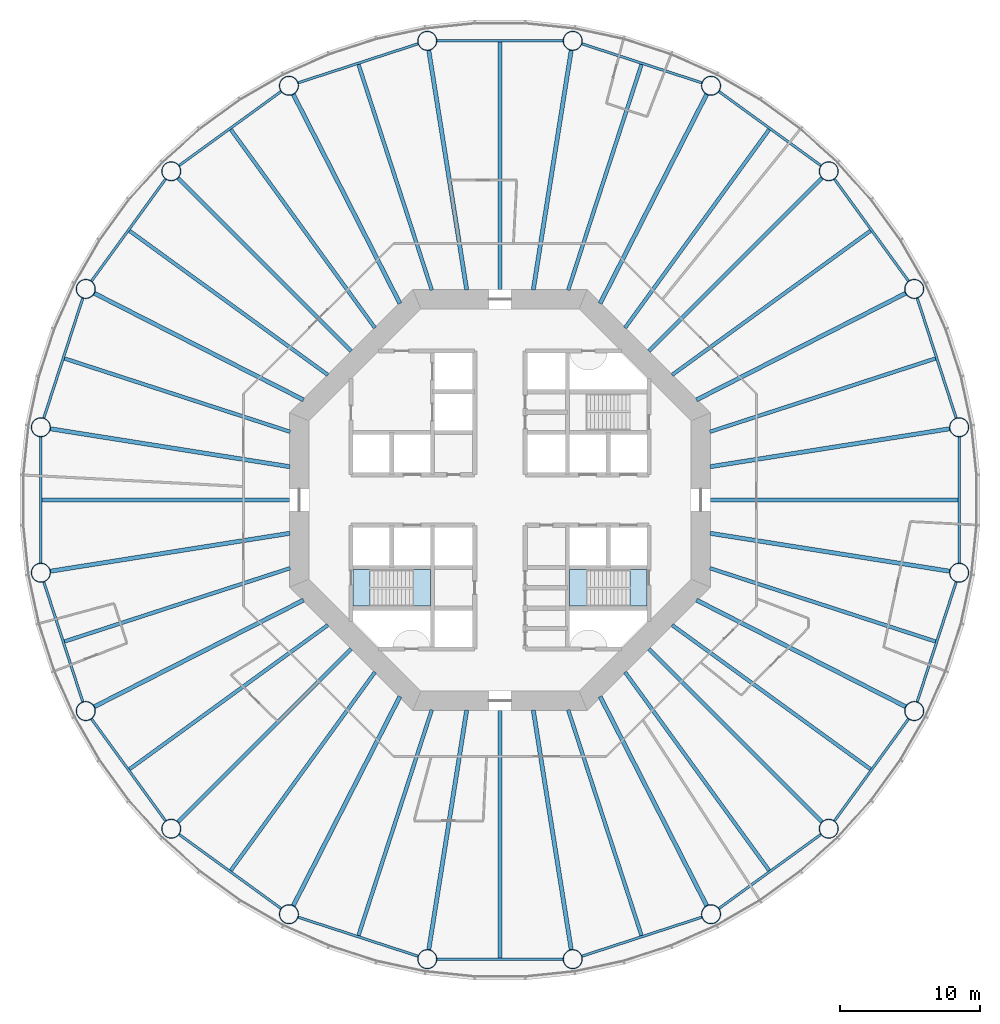
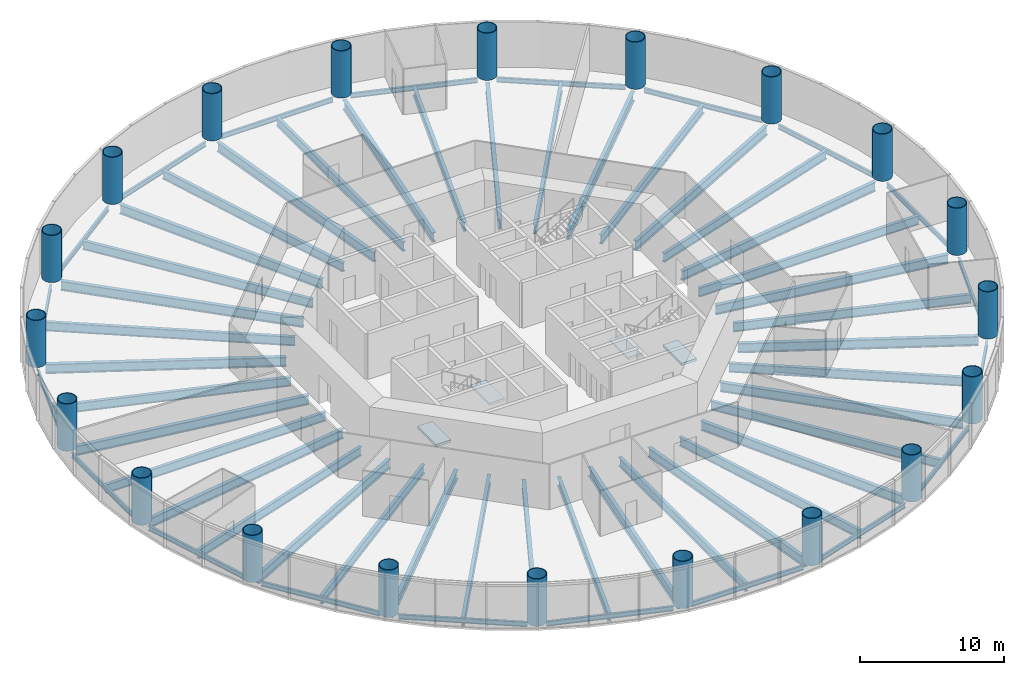
# One storey, part 1 of 13: 60 beams, 20 columns, 4 slabs, 2 elements without a shape of their own.
"""IFC4 building model written with IfcOpenShell, lengths in metres."""

from ifc_helpers import new_model, si_unit, direction, frame, origin, origin_2d, place, context, subcontext, project, spatial, polyline, circle, hollow_circle, i_section, outline, extrude, material, layer, layer_set, material_profile, profile_set, type_object, element, aggregate, save


model = new_model("IFC4")

# Units and contexts
model_context = context("Model", 3, precision=1e-05, world=origin(), true_north=direction((0.0, 1.0)))
body_context = subcontext(model_context, "Body", "Model", "MODEL_VIEW")
ifc_project = project(units=[si_unit("LENGTHUNIT", "METRE"), si_unit("AREAUNIT", "SQUARE_METRE"), si_unit("VOLUMEUNIT", "CUBIC_METRE"), si_unit("PLANEANGLEUNIT", "RADIAN"), si_unit("MASSUNIT", "GRAM", prefix="KILO")], contexts=[model_context])

# Site, building, storey
site_placement = place(None, origin())
site = spatial("IfcSite", under=ifc_project, at=site_placement, CompositionType="ELEMENT")
building_placement = place(site_placement, origin())
building = spatial("IfcBuilding", under=site, at=building_placement, Name="Entoto Ring Tower", CompositionType="ELEMENT")
storey_placement = place(building_placement, frame((0.0, 0.0, 42.0)))
storey = spatial("IfcBuildingStorey", under=building, at=storey_placement, Name="L08", CompositionType="ELEMENT", Elevation=42.0)

# Columns
ifc_material_1 = material(Name="Steel S355", Category="steel")
ifc_material_profile_1 = material_profile(ifc_material_1, hollow_circle(Radius=0.699951171875, WallThickness=0.06005859375, at=origin_2d()), Name="CHS 1400 x 60")
ifc_material_2 = material(Name="Concrete C60/75", Category="concrete")
ifc_material_profile_2 = material_profile(ifc_material_2, circle(Radius=0.639892578125, at=origin_2d()), Name="Concrete C60/75 infill")
ifc_profile_set_1 = profile_set([ifc_material_profile_1, ifc_material_profile_2], Name="Steel S355")
column_type = type_object("IfcColumnType", Name="Ring column 1400 x 60 concrete-filled tube", PredefinedType="COLUMN", material=ifc_profile_set_1)
for number, where, z_axis, x_axis, name in (
    (1, (122.6923828125, 85.177978515625, 0.0), (0.0, 0.0, 1.0), (1.0, 0.0, 0.0), "RC1 R01"),
    (2, (119.492431640625, 95.027099609375, 0.0), (0.0, 0.0, 1.0), (1.0, 0.0, 0.0), "RC1 R02"),
    (3, (113.4052734375, 103.4052734375, 0.0), (0.0, 0.0, 1.0), (1.0, 0.0, 0.0), "RC1 R03"),
    (4, (105.027099609375, 109.492431640625, 0.0), (0.0, 0.0, 1.0), (1.0, 0.0, 0.0), "RC1 R04"),
    (5, (95.177978515625, 112.6923828125, 0.0), (0.0, 0.0, 1.0), (1.0, 0.0, 0.0), "RC1 R05"),
    (6, (84.822021484375, 112.6923828125, 0.0), (0.0, 0.0, 1.0), (1.0, 0.0, 0.0), "RC1 R06"),
    (7, (74.972900390625, 109.492431640625, 0.0), (0.0, 0.0, 1.0), (1.0, 0.0, 0.0), "RC1 R07"),
    (8, (66.5947265625, 103.4052734375, 0.0), (0.0, 0.0, 1.0), (1.0, 0.0, 0.0), "RC1 R08"),
    (9, (60.507568359375, 95.027099609375, 0.0), (0.0, 0.0, 1.0), (1.0, 0.0, 0.0), "RC1 R09"),
    (10, (57.3076171875, 85.177978515625, 0.0), (0.0, 0.0, 1.0), (1.0, 0.0, 0.0), "RC1 R10"),
    (11, (57.3076171875, 74.822021484375, 0.0), (0.0, 0.0, 1.0), (1.0, 0.0, 0.0), "RC1 R11"),
    (12, (60.507568359375, 64.972900390625, 0.0), (0.0, 0.0, 1.0), (1.0, 0.0, 0.0), "RC1 R12"),
    (13, (66.5947265625, 56.5947265625, 0.0), (0.0, 0.0, 1.0), (1.0, 0.0, 0.0), "RC1 R13"),
    (14, (74.972900390625, 50.507568359375, 0.0), (0.0, 0.0, 1.0), (1.0, 0.0, 0.0), "RC1 R14"),
    (15, (84.822021484375, 47.3076171875, 0.0), (0.0, 0.0, 1.0), (1.0, 0.0, 0.0), "RC1 R15"),
    (16, (95.177978515625, 47.3076171875, 0.0), (0.0, 0.0, 1.0), (1.0, 0.0, 0.0), "RC1 R16"),
    (17, (105.027099609375, 50.507568359375, 0.0), (0.0, 0.0, 1.0), (1.0, 0.0, 0.0), "RC1 R17"),
    (18, (113.4052734375, 56.5947265625, 0.0), (0.0, 0.0, 1.0), (1.0, 0.0, 0.0), "RC1 R18"),
    (19, (119.492431640625, 64.972900390625, 0.0), (0.0, 0.0, 1.0), (1.0, 0.0, 0.0), "RC1 R19"),
    (20, (122.6923828125, 74.822021484375, 0.0), (0.0, 0.0, 1.0), (1.0, 0.0, 0.0), "RC1 R20"),
):
    element("IfcColumn", number, at=place(storey_placement, frame(where, z_axis=z_axis, x_axis=x_axis)), inside=storey, type_object=column_type, Name=name, PredefinedType="COLUMN", context=body_context, shape_type="SweptSolid", body=[
        extrude(hollow_circle(Radius=0.699951171875, WallThickness=0.06005859375, at=origin_2d()), origin(), (0.0, 0.0, 1.0), 4.0),
    ])

# Beams
ifc_material_3 = material(Name="Steel S355", Category="steel")
ifc_material_profile_3 = material_profile(ifc_material_3, i_section(OverallWidth=0.179931640625, OverallDepth=0.39990234375, WebThickness=0.008544921875, FlangeThickness=0.013427734375, FilletRadius=0.02099609375, at=origin_2d()), Name="IPE 400")
ifc_profile_set_2 = profile_set([ifc_material_profile_3], Name="Steel S355")
beam_type_1 = type_object("IfcBeamType", Name="Edge beam IPE 400", PredefinedType="SPANDREL", material=ifc_profile_set_2)
for number, where, z_axis, x_axis, name in (
    (21, (122.484130859375, 85.819091796875, -0.35009765625), (-0.309006400295, 0.951059958455, 0.0), (-0.951059958455, -0.309006400295, 0.0), "Edge beam L08 01"),
    (22, (119.09619140625, 95.572509765625, -0.35009765625), (-0.587792917156, 0.80901142547, 0.0), (-0.80901142547, -0.587792917156, 0.0), "Edge beam L08 02"),
    (23, (112.85986328125, 103.801513671875, -0.35009765625), (-0.80901142547, 0.587792917156, 0.0), (-0.587792917156, -0.80901142547, 0.0), "Edge beam L08 03"),
    (24, (104.385986328125, 109.70068359375, -0.35009765625), (-0.951059958455, 0.309006400295, 0.0), (-0.309006400295, -0.951059958455, 0.0), "Edge beam L08 04"),
    (25, (94.50390625, 112.6923828125, -0.35009765625), (-1.0, 0.0, 0.0), (0.0, -1.0, 0.0), "Edge beam L08 05"),
    (26, (84.180908203125, 112.484130859375, -0.35009765625), (-0.951059958455, -0.309006400295, 0.0), (0.309006400295, -0.951059958455, 0.0), "Edge beam L08 06"),
    (27, (74.427490234375, 109.09619140625, -0.35009765625), (-0.80901142547, -0.587792917156, 0.0), (0.587792917156, -0.80901142547, 0.0), "Edge beam L08 07"),
    (28, (66.198486328125, 102.85986328125, -0.35009765625), (-0.587792917156, -0.80901142547, 0.0), (0.80901142547, -0.587792917156, 0.0), "Edge beam L08 08"),
    (29, (60.29931640625, 94.385986328125, -0.35009765625), (-0.309006400295, -0.951059958455, 0.0), (0.951059958455, -0.309006400295, 0.0), "Edge beam L08 09"),
    (30, (57.3076171875, 84.50390625, -0.35009765625), (0.0, -1.0, 0.0), (1.0, 0.0, 0.0), "Edge beam L08 10"),
    (31, (57.515869140625, 74.180908203125, -0.35009765625), (0.309006400295, -0.951059958455, 0.0), (0.951059958455, 0.309006400295, 0.0), "Edge beam L08 11"),
    (32, (60.90380859375, 64.427490234375, -0.35009765625), (0.587792917156, -0.80901142547, 0.0), (0.80901142547, 0.587792917156, 0.0), "Edge beam L08 12"),
    (33, (67.14013671875, 56.198486328125, -0.35009765625), (0.80901142547, -0.587792917156, 0.0), (0.587792917156, 0.80901142547, 0.0), "Edge beam L08 13"),
    (34, (75.614013671875, 50.29931640625, -0.35009765625), (0.951059958455, -0.309006400295, 0.0), (0.309006400295, 0.951059958455, 0.0), "Edge beam L08 14"),
    (35, (85.49609375, 47.3076171875, -0.35009765625), (1.0, 0.0, 0.0), (0.0, 1.0, 0.0), "Edge beam L08 15"),
    (36, (95.819091796875, 47.515869140625, -0.35009765625), (0.951059958455, 0.309006400295, 0.0), (-0.309006400295, 0.951059958455, 0.0), "Edge beam L08 16"),
    (37, (105.572509765625, 50.90380859375, -0.35009765625), (0.80901142547, 0.587792917156, 0.0), (-0.587792917156, 0.80901142547, 0.0), "Edge beam L08 17"),
    (38, (113.801513671875, 57.14013671875, -0.35009765625), (0.587792917156, 0.80901142547, 0.0), (-0.80901142547, 0.587792917156, 0.0), "Edge beam L08 18"),
    (39, (119.70068359375, 65.614013671875, -0.35009765625), (0.309006400295, 0.951059958455, 0.0), (-0.951059958455, 0.309006400295, 0.0), "Edge beam L08 19"),
    (40, (122.6923828125, 75.49609375, -0.35009765625), (0.0, 1.0, 0.0), (-1.0, 0.0, 0.0), "Edge beam L08 20"),
):
    element("IfcBeam", number, at=place(storey_placement, frame(where, z_axis=z_axis, x_axis=x_axis)), inside=storey, type_object=beam_type_1, Name=name, PredefinedType="SPANDREL", context=body_context, shape_type="SweptSolid", body=[
        extrude(i_section(OverallWidth=0.179931640625, OverallDepth=0.39990234375, WebThickness=0.008544921875, FlangeThickness=0.013427734375, FilletRadius=0.02099609375, at=origin_2d()), origin(), (0.0, 0.0, 1.0), 9.0078125),
    ])
ifc_material_4 = material(Name="Steel S355", Category="steel")
ifc_material_profile_4 = material_profile(ifc_material_4, i_section(OverallWidth=0.300048828125, OverallDepth=0.800048828125, WebThickness=0.017578125, FlangeThickness=0.032958984375, FilletRadius=0.030029296875, at=origin_2d()), Name="HE 800 B")
ifc_profile_set_3 = profile_set([ifc_material_profile_4], Name="Steel S355")
beam_type_2 = type_object("IfcBeamType", Name="Primary floor beam HE 800 B", PredefinedType="BEAM", material=ifc_profile_set_3)
beam_1_placement = place(storey_placement, frame((104.956787109375, 82.368896484375, -0.550048828125), z_axis=(0.98768775999, 0.156438130794, 0.0), x_axis=(-0.156438130794, 0.98768775999, 0.0)))
element("IfcBeam", 41, at=beam_1_placement, inside=storey, type_object=beam_type_2, Name="Primary L08 R01", PredefinedType="BEAM", context=body_context, shape_type="SweptSolid", body=[
    extrude(i_section(OverallWidth=0.300048828125, OverallDepth=0.800048828125, WebThickness=0.017578125, FlangeThickness=0.032958984375, FilletRadius=0.030029296875, at=origin_2d()), origin(), (0.0, 0.0, 1.0), 17.293212890625),
])
beam_2_placement = place(storey_placement, frame((103.99169921875, 87.129150390625, -0.550048828125), z_axis=(0.891007761657, 0.453988071063, 0.0), x_axis=(-0.453988071063, 0.891007761657, 0.0)))
element("IfcBeam", 42, at=beam_2_placement, inside=storey, type_object=beam_type_2, Name="Primary L08 R02", PredefinedType="BEAM", context=body_context, shape_type="SweptSolid", body=[
    extrude(i_section(OverallWidth=0.300048828125, OverallDepth=0.800048828125, WebThickness=0.017578125, FlangeThickness=0.032958984375, FilletRadius=0.030029296875, at=origin_2d()), origin(), (0.0, 0.0, 1.0), 16.733154296875),
])
beam_3_placement = place(storey_placement, frame((100.592529296875, 90.592529296875, -0.550048828125), z_axis=(0.707106781187, 0.707106781187, 0.0), x_axis=(-0.707106781187, 0.707106781187, 0.0)))
element("IfcBeam", 43, at=beam_3_placement, inside=storey, type_object=beam_type_2, Name="Primary L08 R03", PredefinedType="BEAM", context=body_context, shape_type="SweptSolid", body=[
    extrude(i_section(OverallWidth=0.300048828125, OverallDepth=0.800048828125, WebThickness=0.017578125, FlangeThickness=0.032958984375, FilletRadius=0.030029296875, at=origin_2d()), origin(), (0.0, 0.0, 1.0), 17.456298828125),
])
beam_4_placement = place(storey_placement, frame((97.129150390625, 93.99169921875, -0.550048828125), z_axis=(0.453988071063, 0.891007761657, 0.0), x_axis=(-0.891007761657, 0.453988071063, 0.0)))
element("IfcBeam", 44, at=beam_4_placement, inside=storey, type_object=beam_type_2, Name="Primary L08 R04", PredefinedType="BEAM", context=body_context, shape_type="SweptSolid", body=[
    extrude(i_section(OverallWidth=0.300048828125, OverallDepth=0.800048828125, WebThickness=0.017578125, FlangeThickness=0.032958984375, FilletRadius=0.030029296875, at=origin_2d()), origin(), (0.0, 0.0, 1.0), 16.733154296875),
])
for number, where, z_axis, x_axis, name in (
    (45, (92.368896484375, 94.956787109375, -0.550048828125), (0.156438130794, 0.98768775999, 0.0), (-0.98768775999, 0.156438130794, 0.0), "Primary L08 R05"),
    (46, (87.631103515625, 94.956787109375, -0.550048828125), (-0.156438130794, 0.98768775999, 0.0), (-0.98768775999, -0.156438130794, 0.0), "Primary L08 R06"),
):
    element("IfcBeam", number, at=place(storey_placement, frame(where, z_axis=z_axis, x_axis=x_axis)), inside=storey, type_object=beam_type_2, Name=name, PredefinedType="BEAM", context=body_context, shape_type="SweptSolid", body=[
        extrude(i_section(OverallWidth=0.300048828125, OverallDepth=0.800048828125, WebThickness=0.017578125, FlangeThickness=0.032958984375, FilletRadius=0.030029296875, at=origin_2d()), origin(), (0.0, 0.0, 1.0), 17.293212890625),
    ])
beam_5_placement = place(storey_placement, frame((82.870849609375, 93.99169921875, -0.550048828125), z_axis=(-0.453988071063, 0.891007761657, 0.0), x_axis=(-0.891007761657, -0.453988071063, 0.0)))
element("IfcBeam", 47, at=beam_5_placement, inside=storey, type_object=beam_type_2, Name="Primary L08 R07", PredefinedType="BEAM", context=body_context, shape_type="SweptSolid", body=[
    extrude(i_section(OverallWidth=0.300048828125, OverallDepth=0.800048828125, WebThickness=0.017578125, FlangeThickness=0.032958984375, FilletRadius=0.030029296875, at=origin_2d()), origin(), (0.0, 0.0, 1.0), 16.733154296875),
])
beam_6_placement = place(storey_placement, frame((79.407470703125, 90.592529296875, -0.550048828125), z_axis=(-0.707106781187, 0.707106781187, 0.0), x_axis=(-0.707106781187, -0.707106781187, 0.0)))
element("IfcBeam", 48, at=beam_6_placement, inside=storey, type_object=beam_type_2, Name="Primary L08 R08", PredefinedType="BEAM", context=body_context, shape_type="SweptSolid", body=[
    extrude(i_section(OverallWidth=0.300048828125, OverallDepth=0.800048828125, WebThickness=0.017578125, FlangeThickness=0.032958984375, FilletRadius=0.030029296875, at=origin_2d()), origin(), (0.0, 0.0, 1.0), 17.456298828125),
])
beam_7_placement = place(storey_placement, frame((76.00830078125, 87.129150390625, -0.550048828125), z_axis=(-0.891007761657, 0.453988071063, 0.0), x_axis=(-0.453988071063, -0.891007761657, 0.0)))
element("IfcBeam", 49, at=beam_7_placement, inside=storey, type_object=beam_type_2, Name="Primary L08 R09", PredefinedType="BEAM", context=body_context, shape_type="SweptSolid", body=[
    extrude(i_section(OverallWidth=0.300048828125, OverallDepth=0.800048828125, WebThickness=0.017578125, FlangeThickness=0.032958984375, FilletRadius=0.030029296875, at=origin_2d()), origin(), (0.0, 0.0, 1.0), 16.733154296875),
])
for number, where, z_axis, x_axis, name in (
    (50, (75.043212890625, 82.368896484375, -0.550048828125), (-0.98768775999, 0.156438130794, 0.0), (-0.156438130794, -0.98768775999, 0.0), "Primary L08 R10"),
    (51, (75.043212890625, 77.631103515625, -0.550048828125), (-0.98768775999, -0.156438130794, 0.0), (0.156438130794, -0.98768775999, 0.0), "Primary L08 R11"),
):
    element("IfcBeam", number, at=place(storey_placement, frame(where, z_axis=z_axis, x_axis=x_axis)), inside=storey, type_object=beam_type_2, Name=name, PredefinedType="BEAM", context=body_context, shape_type="SweptSolid", body=[
        extrude(i_section(OverallWidth=0.300048828125, OverallDepth=0.800048828125, WebThickness=0.017578125, FlangeThickness=0.032958984375, FilletRadius=0.030029296875, at=origin_2d()), origin(), (0.0, 0.0, 1.0), 17.293212890625),
    ])
beam_8_placement = place(storey_placement, frame((76.00830078125, 72.870849609375, -0.550048828125), z_axis=(-0.891007761657, -0.453988071063, 0.0), x_axis=(0.453988071063, -0.891007761657, 0.0)))
element("IfcBeam", 52, at=beam_8_placement, inside=storey, type_object=beam_type_2, Name="Primary L08 R12", PredefinedType="BEAM", context=body_context, shape_type="SweptSolid", body=[
    extrude(i_section(OverallWidth=0.300048828125, OverallDepth=0.800048828125, WebThickness=0.017578125, FlangeThickness=0.032958984375, FilletRadius=0.030029296875, at=origin_2d()), origin(), (0.0, 0.0, 1.0), 16.733154296875),
])
beam_9_placement = place(storey_placement, frame((79.407470703125, 69.407470703125, -0.550048828125), z_axis=(-0.707106781187, -0.707106781187, 0.0), x_axis=(0.707106781187, -0.707106781187, 0.0)))
element("IfcBeam", 53, at=beam_9_placement, inside=storey, type_object=beam_type_2, Name="Primary L08 R13", PredefinedType="BEAM", context=body_context, shape_type="SweptSolid", body=[
    extrude(i_section(OverallWidth=0.300048828125, OverallDepth=0.800048828125, WebThickness=0.017578125, FlangeThickness=0.032958984375, FilletRadius=0.030029296875, at=origin_2d()), origin(), (0.0, 0.0, 1.0), 17.456298828125),
])
beam_10_placement = place(storey_placement, frame((82.870849609375, 66.00830078125, -0.550048828125), z_axis=(-0.453988071063, -0.891007761657, 0.0), x_axis=(0.891007761657, -0.453988071063, 0.0)))
element("IfcBeam", 54, at=beam_10_placement, inside=storey, type_object=beam_type_2, Name="Primary L08 R14", PredefinedType="BEAM", context=body_context, shape_type="SweptSolid", body=[
    extrude(i_section(OverallWidth=0.300048828125, OverallDepth=0.800048828125, WebThickness=0.017578125, FlangeThickness=0.032958984375, FilletRadius=0.030029296875, at=origin_2d()), origin(), (0.0, 0.0, 1.0), 16.733154296875),
])
for number, where, z_axis, x_axis, name in (
    (55, (87.631103515625, 65.043212890625, -0.550048828125), (-0.156438130794, -0.98768775999, 0.0), (0.98768775999, -0.156438130794, 0.0), "Primary L08 R15"),
    (56, (92.368896484375, 65.043212890625, -0.550048828125), (0.156438130794, -0.98768775999, 0.0), (0.98768775999, 0.156438130794, 0.0), "Primary L08 R16"),
):
    element("IfcBeam", number, at=place(storey_placement, frame(where, z_axis=z_axis, x_axis=x_axis)), inside=storey, type_object=beam_type_2, Name=name, PredefinedType="BEAM", context=body_context, shape_type="SweptSolid", body=[
        extrude(i_section(OverallWidth=0.300048828125, OverallDepth=0.800048828125, WebThickness=0.017578125, FlangeThickness=0.032958984375, FilletRadius=0.030029296875, at=origin_2d()), origin(), (0.0, 0.0, 1.0), 17.293212890625),
    ])
beam_11_placement = place(storey_placement, frame((97.129150390625, 66.00830078125, -0.550048828125), z_axis=(0.453988071063, -0.891007761657, 0.0), x_axis=(0.891007761657, 0.453988071063, 0.0)))
element("IfcBeam", 57, at=beam_11_placement, inside=storey, type_object=beam_type_2, Name="Primary L08 R17", PredefinedType="BEAM", context=body_context, shape_type="SweptSolid", body=[
    extrude(i_section(OverallWidth=0.300048828125, OverallDepth=0.800048828125, WebThickness=0.017578125, FlangeThickness=0.032958984375, FilletRadius=0.030029296875, at=origin_2d()), origin(), (0.0, 0.0, 1.0), 16.733154296875),
])
beam_12_placement = place(storey_placement, frame((100.592529296875, 69.407470703125, -0.550048828125), z_axis=(0.707106781187, -0.707106781187, 0.0), x_axis=(0.707106781187, 0.707106781187, 0.0)))
element("IfcBeam", 58, at=beam_12_placement, inside=storey, type_object=beam_type_2, Name="Primary L08 R18", PredefinedType="BEAM", context=body_context, shape_type="SweptSolid", body=[
    extrude(i_section(OverallWidth=0.300048828125, OverallDepth=0.800048828125, WebThickness=0.017578125, FlangeThickness=0.032958984375, FilletRadius=0.030029296875, at=origin_2d()), origin(), (0.0, 0.0, 1.0), 17.456298828125),
])
beam_13_placement = place(storey_placement, frame((103.99169921875, 72.870849609375, -0.550048828125), z_axis=(0.891007761657, -0.453988071063, 0.0), x_axis=(0.453988071063, 0.891007761657, 0.0)))
element("IfcBeam", 59, at=beam_13_placement, inside=storey, type_object=beam_type_2, Name="Primary L08 R19", PredefinedType="BEAM", context=body_context, shape_type="SweptSolid", body=[
    extrude(i_section(OverallWidth=0.300048828125, OverallDepth=0.800048828125, WebThickness=0.017578125, FlangeThickness=0.032958984375, FilletRadius=0.030029296875, at=origin_2d()), origin(), (0.0, 0.0, 1.0), 16.733154296875),
])
beam_14_placement = place(storey_placement, frame((104.956787109375, 77.631103515625, -0.550048828125), z_axis=(0.98768775999, -0.156438130794, 0.0), x_axis=(0.156438130794, 0.98768775999, 0.0)))
element("IfcBeam", 60, at=beam_14_placement, inside=storey, type_object=beam_type_2, Name="Primary L08 R20", PredefinedType="BEAM", context=body_context, shape_type="SweptSolid", body=[
    extrude(i_section(OverallWidth=0.300048828125, OverallDepth=0.800048828125, WebThickness=0.017578125, FlangeThickness=0.032958984375, FilletRadius=0.030029296875, at=origin_2d()), origin(), (0.0, 0.0, 1.0), 17.293212890625),
])
ifc_material_5 = material(Name="Steel S355", Category="steel")
ifc_material_profile_5 = material_profile(ifc_material_5, i_section(OverallWidth=0.262939453125, OverallDepth=0.7529296875, WebThickness=0.011474609375, FlangeThickness=0.01708984375, FilletRadius=0.01708984375, at=origin_2d()), Name="IPE 750 x 137")
ifc_profile_set_4 = profile_set([ifc_material_profile_5], Name="Steel S355")
beam_type_3 = type_object("IfcBeamType", Name="Secondary floor beam IPE 750 x 137", PredefinedType="JOIST", material=ifc_profile_set_4)
beam_15_placement = place(storey_placement, frame((104.9404296875, 84.8544921875, -0.526611328125), z_axis=(0.951057855768, 0.30901287187, 0.0), x_axis=(-0.30901287187, 0.951057855768, 0.0)))
element("IfcBeam", 61, at=beam_15_placement, inside=storey, type_object=beam_type_3, Name="Secondary beam L08 01", PredefinedType="JOIST", context=body_context, shape_type="SweptSolid", body=[
    extrude(i_section(OverallWidth=0.262939453125, OverallDepth=0.7529296875, WebThickness=0.011474609375, FlangeThickness=0.01708984375, FilletRadius=0.01708984375, at=origin_2d()), origin(), (0.0, 0.0, 1.0), 16.893310546875),
])
for number, where, z_axis, x_axis, name in (
    (62, (102.25341796875, 88.902587890625, -0.526611328125), (0.809014194973, 0.58778910532, 0.0), (-0.58778910532, 0.809014194973, 0.0), "Secondary beam L08 02"),
    (63, (98.902587890625, 92.25341796875, -0.526611328125), (0.58778910532, 0.809014194973, 0.0), (-0.809014194973, 0.58778910532, 0.0), "Secondary beam L08 03"),
):
    element("IfcBeam", number, at=place(storey_placement, frame(where, z_axis=z_axis, x_axis=x_axis)), inside=storey, type_object=beam_type_3, Name=name, PredefinedType="JOIST", context=body_context, shape_type="SweptSolid", body=[
        extrude(i_section(OverallWidth=0.262939453125, OverallDepth=0.7529296875, WebThickness=0.011474609375, FlangeThickness=0.01708984375, FilletRadius=0.01708984375, at=origin_2d()), origin(), (0.0, 0.0, 1.0), 17.45654296875),
    ])
beam_16_placement = place(storey_placement, frame((94.8544921875, 94.9404296875, -0.526611328125), z_axis=(0.30901287187, 0.951057855768, 0.0), x_axis=(-0.951057855768, 0.30901287187, 0.0)))
element("IfcBeam", 64, at=beam_16_placement, inside=storey, type_object=beam_type_3, Name="Secondary beam L08 04", PredefinedType="JOIST", context=body_context, shape_type="SweptSolid", body=[
    extrude(i_section(OverallWidth=0.262939453125, OverallDepth=0.7529296875, WebThickness=0.011474609375, FlangeThickness=0.01708984375, FilletRadius=0.01708984375, at=origin_2d()), origin(), (0.0, 0.0, 1.0), 16.893310546875),
])
beam_17_placement = place(storey_placement, frame((90.0, 94.97998046875, -0.526611328125), z_axis=(0.0, 1.0, 0.0), x_axis=(-1.0, 0.0, 0.0)))
element("IfcBeam", 65, at=beam_17_placement, inside=storey, type_object=beam_type_3, Name="Secondary beam L08 05", PredefinedType="JOIST", context=body_context, shape_type="SweptSolid", body=[
    extrude(i_section(OverallWidth=0.262939453125, OverallDepth=0.7529296875, WebThickness=0.011474609375, FlangeThickness=0.01708984375, FilletRadius=0.01708984375, at=origin_2d()), origin(), (0.0, 0.0, 1.0), 17.62255859375),
])
beam_18_placement = place(storey_placement, frame((85.1455078125, 94.9404296875, -0.526611328125), z_axis=(-0.30901287187, 0.951057855768, 0.0), x_axis=(-0.951057855768, -0.30901287187, 0.0)))
element("IfcBeam", 66, at=beam_18_placement, inside=storey, type_object=beam_type_3, Name="Secondary beam L08 06", PredefinedType="JOIST", context=body_context, shape_type="SweptSolid", body=[
    extrude(i_section(OverallWidth=0.262939453125, OverallDepth=0.7529296875, WebThickness=0.011474609375, FlangeThickness=0.01708984375, FilletRadius=0.01708984375, at=origin_2d()), origin(), (0.0, 0.0, 1.0), 16.893310546875),
])
for number, where, z_axis, x_axis, name in (
    (67, (81.097412109375, 92.25341796875, -0.526611328125), (-0.58778910532, 0.809014194973, 0.0), (-0.809014194973, -0.58778910532, 0.0), "Secondary beam L08 07"),
    (68, (77.74658203125, 88.902587890625, -0.526611328125), (-0.809014194973, 0.58778910532, 0.0), (-0.58778910532, -0.809014194973, 0.0), "Secondary beam L08 08"),
):
    element("IfcBeam", number, at=place(storey_placement, frame(where, z_axis=z_axis, x_axis=x_axis)), inside=storey, type_object=beam_type_3, Name=name, PredefinedType="JOIST", context=body_context, shape_type="SweptSolid", body=[
        extrude(i_section(OverallWidth=0.262939453125, OverallDepth=0.7529296875, WebThickness=0.011474609375, FlangeThickness=0.01708984375, FilletRadius=0.01708984375, at=origin_2d()), origin(), (0.0, 0.0, 1.0), 17.45654296875),
    ])
beam_19_placement = place(storey_placement, frame((75.0595703125, 84.8544921875, -0.526611328125), z_axis=(-0.951057855768, 0.30901287187, 0.0), x_axis=(-0.30901287187, -0.951057855768, 0.0)))
element("IfcBeam", 69, at=beam_19_placement, inside=storey, type_object=beam_type_3, Name="Secondary beam L08 09", PredefinedType="JOIST", context=body_context, shape_type="SweptSolid", body=[
    extrude(i_section(OverallWidth=0.262939453125, OverallDepth=0.7529296875, WebThickness=0.011474609375, FlangeThickness=0.01708984375, FilletRadius=0.01708984375, at=origin_2d()), origin(), (0.0, 0.0, 1.0), 16.893310546875),
])
beam_20_placement = place(storey_placement, frame((75.02001953125, 80.0, -0.526611328125), z_axis=(-1.0, 0.0, 0.0), x_axis=(0.0, -1.0, 0.0)))
element("IfcBeam", 70, at=beam_20_placement, inside=storey, type_object=beam_type_3, Name="Secondary beam L08 10", PredefinedType="JOIST", context=body_context, shape_type="SweptSolid", body=[
    extrude(i_section(OverallWidth=0.262939453125, OverallDepth=0.7529296875, WebThickness=0.011474609375, FlangeThickness=0.01708984375, FilletRadius=0.01708984375, at=origin_2d()), origin(), (0.0, 0.0, 1.0), 17.62255859375),
])
beam_21_placement = place(storey_placement, frame((75.0595703125, 75.1455078125, -0.526611328125), z_axis=(-0.951057855768, -0.30901287187, 0.0), x_axis=(0.30901287187, -0.951057855768, 0.0)))
element("IfcBeam", 71, at=beam_21_placement, inside=storey, type_object=beam_type_3, Name="Secondary beam L08 11", PredefinedType="JOIST", context=body_context, shape_type="SweptSolid", body=[
    extrude(i_section(OverallWidth=0.262939453125, OverallDepth=0.7529296875, WebThickness=0.011474609375, FlangeThickness=0.01708984375, FilletRadius=0.01708984375, at=origin_2d()), origin(), (0.0, 0.0, 1.0), 16.893310546875),
])
for number, where, z_axis, x_axis, name in (
    (72, (77.74658203125, 71.097412109375, -0.526611328125), (-0.809014194973, -0.58778910532, 0.0), (0.58778910532, -0.809014194973, 0.0), "Secondary beam L08 12"),
    (73, (81.097412109375, 67.74658203125, -0.526611328125), (-0.58778910532, -0.809014194973, 0.0), (0.809014194973, -0.58778910532, 0.0), "Secondary beam L08 13"),
):
    element("IfcBeam", number, at=place(storey_placement, frame(where, z_axis=z_axis, x_axis=x_axis)), inside=storey, type_object=beam_type_3, Name=name, PredefinedType="JOIST", context=body_context, shape_type="SweptSolid", body=[
        extrude(i_section(OverallWidth=0.262939453125, OverallDepth=0.7529296875, WebThickness=0.011474609375, FlangeThickness=0.01708984375, FilletRadius=0.01708984375, at=origin_2d()), origin(), (0.0, 0.0, 1.0), 17.45654296875),
    ])
beam_22_placement = place(storey_placement, frame((85.1455078125, 65.0595703125, -0.526611328125), z_axis=(-0.30901287187, -0.951057855768, 0.0), x_axis=(0.951057855768, -0.30901287187, 0.0)))
element("IfcBeam", 74, at=beam_22_placement, inside=storey, type_object=beam_type_3, Name="Secondary beam L08 14", PredefinedType="JOIST", context=body_context, shape_type="SweptSolid", body=[
    extrude(i_section(OverallWidth=0.262939453125, OverallDepth=0.7529296875, WebThickness=0.011474609375, FlangeThickness=0.01708984375, FilletRadius=0.01708984375, at=origin_2d()), origin(), (0.0, 0.0, 1.0), 16.893310546875),
])
beam_23_placement = place(storey_placement, frame((90.0, 65.02001953125, -0.526611328125), z_axis=(0.0, -1.0, 0.0), x_axis=(1.0, 0.0, 0.0)))
element("IfcBeam", 75, at=beam_23_placement, inside=storey, type_object=beam_type_3, Name="Secondary beam L08 15", PredefinedType="JOIST", context=body_context, shape_type="SweptSolid", body=[
    extrude(i_section(OverallWidth=0.262939453125, OverallDepth=0.7529296875, WebThickness=0.011474609375, FlangeThickness=0.01708984375, FilletRadius=0.01708984375, at=origin_2d()), origin(), (0.0, 0.0, 1.0), 17.62255859375),
])
beam_24_placement = place(storey_placement, frame((94.8544921875, 65.0595703125, -0.526611328125), z_axis=(0.30901287187, -0.951057855768, 0.0), x_axis=(0.951057855768, 0.30901287187, 0.0)))
element("IfcBeam", 76, at=beam_24_placement, inside=storey, type_object=beam_type_3, Name="Secondary beam L08 16", PredefinedType="JOIST", context=body_context, shape_type="SweptSolid", body=[
    extrude(i_section(OverallWidth=0.262939453125, OverallDepth=0.7529296875, WebThickness=0.011474609375, FlangeThickness=0.01708984375, FilletRadius=0.01708984375, at=origin_2d()), origin(), (0.0, 0.0, 1.0), 16.893310546875),
])
for number, where, z_axis, x_axis, name in (
    (77, (98.902587890625, 67.74658203125, -0.526611328125), (0.58778910532, -0.809014194973, 0.0), (0.809014194973, 0.58778910532, 0.0), "Secondary beam L08 17"),
    (78, (102.25341796875, 71.097412109375, -0.526611328125), (0.809014194973, -0.58778910532, 0.0), (0.58778910532, 0.809014194973, 0.0), "Secondary beam L08 18"),
):
    element("IfcBeam", number, at=place(storey_placement, frame(where, z_axis=z_axis, x_axis=x_axis)), inside=storey, type_object=beam_type_3, Name=name, PredefinedType="JOIST", context=body_context, shape_type="SweptSolid", body=[
        extrude(i_section(OverallWidth=0.262939453125, OverallDepth=0.7529296875, WebThickness=0.011474609375, FlangeThickness=0.01708984375, FilletRadius=0.01708984375, at=origin_2d()), origin(), (0.0, 0.0, 1.0), 17.45654296875),
    ])
beam_25_placement = place(storey_placement, frame((104.9404296875, 75.1455078125, -0.526611328125), z_axis=(0.951057855768, -0.30901287187, 0.0), x_axis=(0.30901287187, 0.951057855768, 0.0)))
element("IfcBeam", 79, at=beam_25_placement, inside=storey, type_object=beam_type_3, Name="Secondary beam L08 19", PredefinedType="JOIST", context=body_context, shape_type="SweptSolid", body=[
    extrude(i_section(OverallWidth=0.262939453125, OverallDepth=0.7529296875, WebThickness=0.011474609375, FlangeThickness=0.01708984375, FilletRadius=0.01708984375, at=origin_2d()), origin(), (0.0, 0.0, 1.0), 16.893310546875),
])
beam_26_placement = place(storey_placement, frame((104.97998046875, 80.0, -0.526611328125), z_axis=(1.0, 0.0, 0.0), x_axis=(0.0, 1.0, 0.0)))
element("IfcBeam", 80, at=beam_26_placement, inside=storey, type_object=beam_type_3, Name="Secondary beam L08 20", PredefinedType="JOIST", context=body_context, shape_type="SweptSolid", body=[
    extrude(i_section(OverallWidth=0.262939453125, OverallDepth=0.7529296875, WebThickness=0.011474609375, FlangeThickness=0.01708984375, FilletRadius=0.01708984375, at=origin_2d()), origin(), (0.0, 0.0, 1.0), 17.62255859375),
])

# Stair, slabs
ifc_material_6 = material(Name="Concrete C40/50", Category="concrete")
stair_type = type_object("IfcStairType", Name="Exit stair 1200 mm dog-leg reinforced concrete", PredefinedType="HALF_TURN_STAIR", material=ifc_material_6)
stair_1_placement = place(storey_placement, origin())
stair_1 = element("IfcStair", 81, at=stair_1_placement, inside=storey, type_object=stair_type, Name="Exit stair 2", PredefinedType="HALF_TURN_STAIR")
ifc_material_7 = material(Name="Concrete C40/50", Category="concrete")
ifc_layer = layer(ifc_material_7, 0.199951171875)
ifc_layer_set = layer_set([ifc_layer], Name="Concrete C40/50")
slab_type = type_object("IfcSlabType", Name="Stair landing 200 mm reinforced concrete", PredefinedType="LANDING", material=ifc_layer_set)
slab_1_placement = place(storey_placement, frame((0.0, 0.0, -0.199951171875)))
slab_1 = element("IfcSlab", 82, at=slab_1_placement, type_object=slab_type, Name="ST2 landing 1", PredefinedType="LANDING", context=body_context, shape_type="SweptSolid", body=[
    extrude(outline(polyline([(80.75, 72.449951171875), (80.75, 75.050048828125), (79.550048828125, 75.050048828125), (79.550048828125, 72.449951171875), (80.75, 72.449951171875)])), origin(), (0.0, 0.0, 1.0), 0.199951171875),
])
slab_2_placement = place(storey_placement, frame((0.0, 0.0, 1.800048828125)))
slab_2 = element("IfcSlab", 83, at=slab_2_placement, type_object=slab_type, Name="ST2 landing 2", PredefinedType="LANDING", context=body_context, shape_type="SweptSolid", body=[
    extrude(outline(polyline([(83.830078125, 72.449951171875), (85.050048828125, 72.449951171875), (85.050048828125, 75.050048828125), (83.830078125, 75.050048828125), (83.830078125, 72.449951171875)])), origin(), (0.0, 0.0, 1.0), 0.199951171875),
])
aggregate(stair_1, [slab_1, slab_2])

stair_2_placement = place(storey_placement, origin())
stair_2 = element("IfcStair", 84, at=stair_2_placement, inside=storey, type_object=stair_type, Name="Exit stair 3", PredefinedType="HALF_TURN_STAIR")
slab_3_placement = place(storey_placement, frame((0.0, 0.0, -0.199951171875)))
slab_3 = element("IfcSlab", 85, at=slab_3_placement, type_object=slab_type, Name="ST3 landing 1", PredefinedType="LANDING", context=body_context, shape_type="SweptSolid", body=[
    extrude(outline(polyline([(100.449951171875, 72.449951171875), (100.449951171875, 75.050048828125), (99.25, 75.050048828125), (99.25, 72.449951171875), (100.449951171875, 72.449951171875)])), origin(), (0.0, 0.0, 1.0), 0.199951171875),
])
slab_4_placement = place(storey_placement, frame((0.0, 0.0, 1.800048828125)))
slab_4 = element("IfcSlab", 86, at=slab_4_placement, type_object=slab_type, Name="ST3 landing 2", PredefinedType="LANDING", context=body_context, shape_type="SweptSolid", body=[
    extrude(outline(polyline([(94.949951171875, 72.449951171875), (96.169921875, 72.449951171875), (96.169921875, 75.050048828125), (94.949951171875, 75.050048828125), (94.949951171875, 72.449951171875)])), origin(), (0.0, 0.0, 1.0), 0.199951171875),
])
aggregate(stair_2, [slab_3, slab_4])

save(model, "model.ifc")
